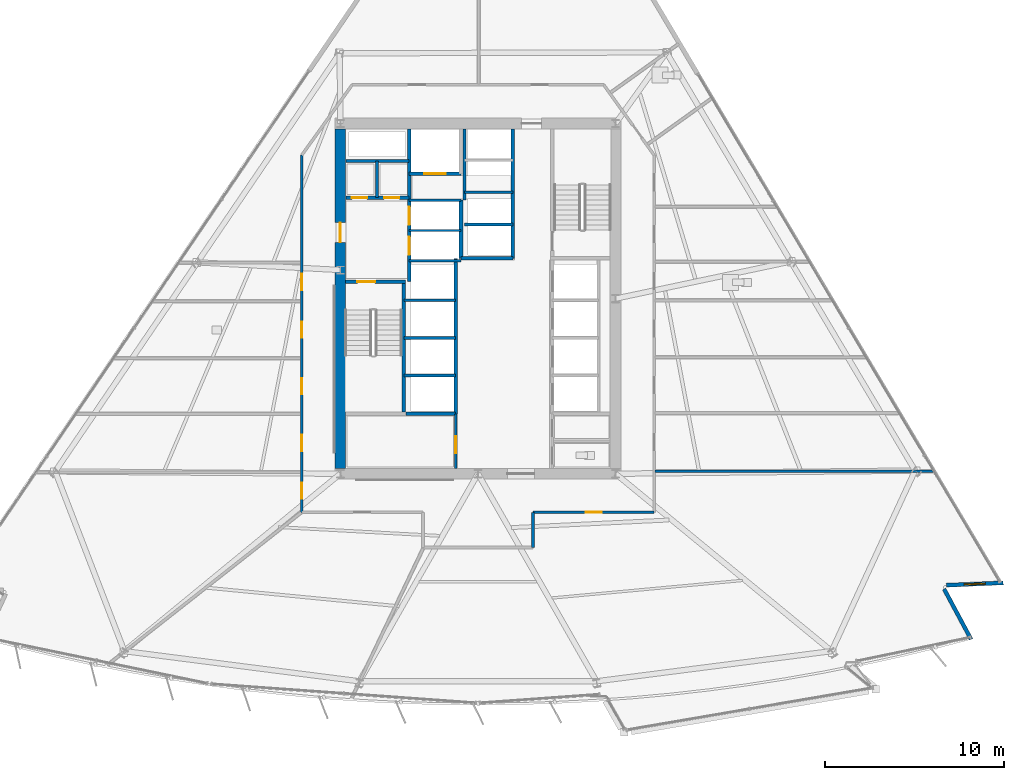
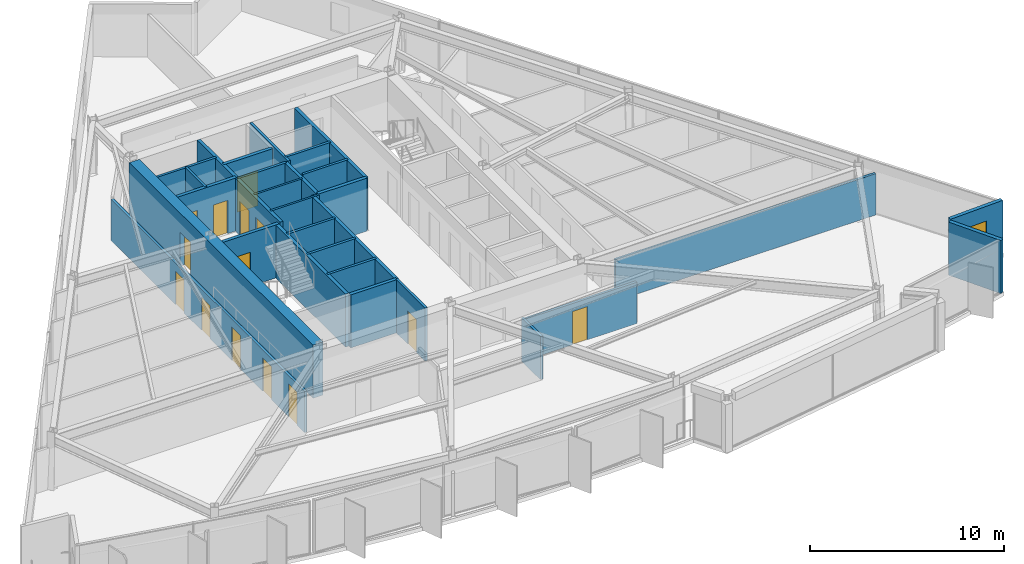
# One storey, part 8 of 16: 29 walls, 14 doors, 1 window, 15 openings.
"""IFC4 building model written with IfcOpenShell, lengths in metres."""

import ifcopenshell
import ifcopenshell.guid

model = None  # the IFC model being written
_history = None  # IfcOwnerHistory: only IFC2X3 demands one
_inside = {}  # id of a spatial element -> (the spatial element, [elements in it])
_under = {}  # id of a project, library or spatial element -> (it, [spatial elements below it])
_declared = {}  # id of a project -> (the project, [libraries it declares])
_typed = {}  # id of a type object -> (the type object, [elements of that type])
_made_of = {}  # id of a material, layer set ... -> (it, [elements and type objects made of it])


def new_model(schema):
    """Start an empty IFC model of exactly this schema.

    Asked for "IFC4X3", IfcOpenShell would pick the latest addendum, in which some entities
    have other attributes; the version numbers below select the first issue.
    IFC2X3 requires an IfcOwnerHistory on every rooted entity: one is made here for all.
    """
    global model, _history
    if schema == "IFC4X3":
        model = ifcopenshell.file(schema_version=(4, 3, 0, 0))
    else:
        model = ifcopenshell.file(schema=schema)
    _inside.clear()
    _under.clear()
    _declared.clear()
    _typed.clear()
    _made_of.clear()
    _history = None
    if model.schema == "IFC2X3":
        org = make("IfcOrganization", Name="unknown")
        user = make(
            "IfcPersonAndOrganization",
            ThePerson=make("IfcPerson", FamilyName="unknown"),
            TheOrganization=org,
        )
        app = make(
            "IfcApplication",
            ApplicationDeveloper=org,
            Version="unknown",
            ApplicationFullName="unknown",
            ApplicationIdentifier="unknown",
        )
        _history = make(
            "IfcOwnerHistory",
            OwningUser=user,
            OwningApplication=app,
            ChangeAction="ADDED",
            CreationDate=0,
        )
    return model


def make(cls, **values):
    """One entity of the class cls with the attributes given. An attribute that is None is left unset."""
    return model.create_entity(
        cls, **{name: value for name, value in values.items() if value is not None}
    )


def rooted(cls, **values):
    """An entity with a GlobalId (a new one), such as an element, a storey or a relation."""
    return make(cls, GlobalId=ifcopenshell.guid.new(), OwnerHistory=_history, **values)


def si_unit(unit_type, name, prefix=None):
    """IfcSIUnit, for example si_unit("LENGTHUNIT", "METRE", prefix="MILLI")."""
    return make("IfcSIUnit", UnitType=unit_type, Prefix=prefix, Name=name)


def assignment(units):
    """IfcUnitAssignment: the units of a project."""
    return None if units is None else make("IfcUnitAssignment", Units=units)


def point(xyz):
    """IfcCartesianPoint."""
    return None if xyz is None else make("IfcCartesianPoint", Coordinates=xyz)


def direction(xyz):
    """IfcDirection."""
    return None if xyz is None else make("IfcDirection", DirectionRatios=xyz)


def frame(location, z_axis=None, x_axis=None):
    """IfcAxis2Placement3D, a coordinate frame: its origin and axes. An axis left out is left unset."""
    return make(
        "IfcAxis2Placement3D",
        Location=point(location),
        Axis=direction(z_axis),
        RefDirection=direction(x_axis),
    )


def frame_2d(location, x_axis=None):
    """IfcAxis2Placement2D, a coordinate frame in the plane: its origin and x axis."""
    return make(
        "IfcAxis2Placement2D", Location=point(location), RefDirection=direction(x_axis)
    )


def origin():
    """The frame at (0, 0, 0) with its axes left unset."""
    return frame((0.0, 0.0, 0.0))


def place(relative_to, where):
    """IfcLocalPlacement: puts the frame where relative to a parent placement (None: the world)."""
    return make(
        "IfcLocalPlacement", PlacementRelTo=relative_to, RelativePlacement=where
    )


def context(
    kind, dimensions, precision=None, world=None, true_north=None, identifier=None
):
    """IfcGeometricRepresentationContext, for example the 3D "Model" context."""
    return make(
        "IfcGeometricRepresentationContext",
        ContextIdentifier=identifier,
        ContextType=kind,
        CoordinateSpaceDimension=dimensions,
        Precision=precision,
        WorldCoordinateSystem=world,
        TrueNorth=true_north,
    )


def subcontext(parent, identifier, kind, view, scale=None):
    """IfcGeometricRepresentationSubContext, for example "Body" below "Model"."""
    return make(
        "IfcGeometricRepresentationSubContext",
        ContextIdentifier=identifier,
        ContextType=kind,
        ParentContext=parent,
        TargetScale=scale,
        TargetView=view,
    )


def project(units=None, contexts=None):
    """IfcProject with its units and contexts."""
    return rooted(
        "IfcProject",
        Name="project",
        RepresentationContexts=contexts,
        UnitsInContext=assignment(units),
    )


def spatial(cls, under=None, at=None, **own):
    """A site, building, storey or space (cls), placed at a placement, below another one or the project."""
    s = rooted(cls, ObjectPlacement=at, **own)
    if under is not None:
        _under.setdefault(under.id(), (under, []))[1].append(s)
    return s


def profile(cls, at=None, kind="AREA", **sizes):
    """A parametric profile (cls). Its sizes go by their IFC names, for example OverallWidth=200.0."""
    return make(cls, ProfileType=kind, Position=at, **sizes)


def rectangle(**sizes):
    """IfcRectangleProfileDef."""
    return profile("IfcRectangleProfileDef", **sizes)


def extrude(swept, where, along, depth):
    """IfcExtrudedAreaSolid: the profile swept, set in the frame where, extruded along a direction by depth."""
    return make(
        "IfcExtrudedAreaSolid",
        SweptArea=swept,
        Position=where,
        ExtrudedDirection=direction(along),
        Depth=depth,
    )


def shape(context_of_items, identifier, shape_type, items):
    """IfcShapeRepresentation: the items that make up one representation, for example the "Body"."""
    return make(
        "IfcShapeRepresentation",
        ContextOfItems=context_of_items,
        RepresentationIdentifier=identifier,
        RepresentationType=shape_type,
        Items=items,
    )


def material(Name=None, Category=None):
    """IfcMaterial."""
    return make("IfcMaterial", Name=Name, Category=Category)


def layer(
    of_material, thickness, ventilated=None, Name=None, Category=None, Priority=None
):
    """IfcMaterialLayer: one layer of a wall or slab, of a material (None: an air gap)."""
    return make(
        "IfcMaterialLayer",
        Material=of_material,
        LayerThickness=thickness,
        IsVentilated=ventilated,
        Name=Name,
        Category=Category,
        Priority=Priority,
    )


def layer_set(layers, Name=None):
    """IfcMaterialLayerSet."""
    return make("IfcMaterialLayerSet", MaterialLayers=layers, LayerSetName=Name)


def made_of(thing, what):
    """Note that an element or type object is made of a material, layer set ...; save() writes the relation."""
    if what is not None:
        _made_of.setdefault(what.id(), (what, []))[1].append(thing)
    return thing


def type_object(cls, material=None, **own):
    """A type object (cls), such as IfcWallType, which elements share."""
    return made_of(rooted(cls, **own), material)


def element(
    cls,
    number,
    at=None,
    inside=None,
    cuts=None,
    type_object=None,
    material=None,
    context=None,
    identifier="Body",
    shape_type=None,
    held_by="IfcProductDefinitionShape",
    body=None,
    shapes=None,
    **own,
):
    """One element of the class cls, such as IfcWall. Its Tag is "e" and its number.

    at: its placement. inside: the storey or other place that contains it. cuts: it is an
    opening in that element (IfcRelVoidsElement). A single representation is given by context,
    identifier, shape_type and body (its items); several are given by shapes. held_by: the class
    of the entity that holds the representations. save() writes the other relations.
    """
    e = rooted(cls, Tag="e%d" % number, ObjectPlacement=at, **own)
    if body is not None:
        shapes = [shape(context, identifier, shape_type, body)]
    if shapes is not None:
        e.Representation = make(held_by, Representations=shapes)
    if inside is not None:
        _inside.setdefault(inside.id(), (inside, []))[1].append(e)
    if cuts is not None:
        rooted(
            "IfcRelVoidsElement", RelatingBuildingElement=cuts, RelatedOpeningElement=e
        )
    if type_object is not None:
        _typed.setdefault(type_object.id(), (type_object, []))[1].append(e)
    return made_of(e, material)


def fill(opening, filler):
    """IfcRelFillsElement: the door or window that sits in an opening."""
    return rooted(
        "IfcRelFillsElement",
        RelatingOpeningElement=opening,
        RelatedBuildingElement=filler,
    )


def aggregate(whole, parts):
    """IfcRelAggregates: a whole, such as a stair, and the parts it consists of."""
    return rooted("IfcRelAggregates", RelatingObject=whole, RelatedObjects=parts)


def save(model, path):
    """Write the relations noted so far, then the file.

    IfcRelAggregates (storeys below a building ...), IfcRelContainedInSpatialStructure (elements
    in a storey), IfcRelDefinesByType, IfcRelAssociatesMaterial and IfcRelDeclares: one each for
    every whole, place, type object, material and project.
    """
    for whole, parts in _under.values():
        aggregate(whole, parts)
    for where, things in _inside.values():
        rooted(
            "IfcRelContainedInSpatialStructure",
            RelatedElements=things,
            RelatingStructure=where,
        )
    for kind, things in _typed.values():
        rooted("IfcRelDefinesByType", RelatedObjects=things, RelatingType=kind)
    for what, things in _made_of.values():
        rooted("IfcRelAssociatesMaterial", RelatedObjects=things, RelatingMaterial=what)
    for by, libraries in _declared.values():
        rooted("IfcRelDeclares", RelatingContext=by, RelatedDefinitions=libraries)
    model.write(path)


model = new_model("IFC4")

# Units and contexts
model_context = context("Model", 3, precision=1e-05, world=origin(), true_north=direction((0.0, 1.0)))
body_context = subcontext(model_context, "Body", "Model", "MODEL_VIEW")
ifc_project = project(units=[si_unit("LENGTHUNIT", "METRE"), si_unit("AREAUNIT", "SQUARE_METRE"), si_unit("VOLUMEUNIT", "CUBIC_METRE"), si_unit("PLANEANGLEUNIT", "RADIAN"), si_unit("MASSUNIT", "GRAM", prefix="KILO")], contexts=[model_context])

# Site, building, storey
site_placement = place(None, origin())
site = spatial("IfcSite", under=ifc_project, at=site_placement, CompositionType="ELEMENT")
building_placement = place(site_placement, origin())
building = spatial("IfcBuilding", under=site, at=building_placement, Name="Savorim Split Tower", CompositionType="ELEMENT")
storey_placement = place(building_placement, frame((0.0, 0.0, 51.60009765625)))
storey = spatial("IfcBuildingStorey", under=building, at=storey_placement, Name="L13", CompositionType="ELEMENT", Elevation=51.60009765625)

# Wall, opening, door
ifc_material_1 = material(Name="Concrete C60/75", Category="concrete")
ifc_layer_1 = layer(ifc_material_1, 0.60009765625)
ifc_layer_set_1 = layer_set([ifc_layer_1], Name="WAL-COR-SH600")
wall_type_1 = type_object("IfcWallType", Name="WAL-COR-SH600", PredefinedType="SHEAR", material=ifc_layer_set_1)
wall_1_placement = place(storey_placement, frame((-7.699951171875, -9.10009765625, 0.0), z_axis=(0.0, 0.0, 1.0), x_axis=(0.0, 1.0, 0.0)))
wall_1 = element("IfcWall", 1, at=wall_1_placement, inside=storey, type_object=wall_type_1, Name="L13 Offset Core West Shear Wall", PredefinedType="SHEAR", context=body_context, shape_type="SweptSolid", body=[
    extrude(rectangle(XDim=19.0, YDim=0.60009765625, at=frame_2d((9.5, 0.0))), origin(), (0.0, 0.0, 1.0), 3.349853515625),
])
opening_1_placement = place(wall_1_placement, frame((12.64990234375, 0.0, 0.0)))
opening_1 = element("IfcOpeningElement", 2, at=opening_1_placement, cuts=wall_1, Name="Opening DI-03", PredefinedType="OPENING", context=body_context, shape_type="SweptSolid", body=[
    extrude(rectangle(XDim=1.10009765625, YDim=2.14990234375, at=frame_2d((0.550048828125, 1.074951171875))), frame((0.0, 0.31005859375, 0.0), z_axis=(0.0, -1.0, 0.0), x_axis=(1.0, 0.0, 0.0)), (0.0, 0.0, 1.0), 0.6201171875),
])
ifc_material_2 = material(Name="Timber Fire Door Leaf", Category="wood")
door_type_1 = type_object("IfcDoorType", Name="DOR-FIR-1100", OperationType="NOTDEFINED", PredefinedType="DOOR", material=ifc_material_2)
door_1_placement = place(opening_1_placement, origin())
door_1 = element("IfcDoor", 3, at=door_1_placement, inside=storey, type_object=door_type_1, Name="DOR-L13-COR-FFLOB - L13 Firefighting Lobby Corridor Door", OperationType="SINGLE_SWING_LEFT", OverallHeight=2.14990234375, OverallWidth=1.10009765625, PredefinedType="DOOR", context=body_context, shape_type="SweptSolid", body=[
    extrude(rectangle(XDim=1.10009765625, YDim=2.14990234375, at=frame_2d((0.550048828125, 1.074951171875))), frame((0.0, 0.02490234375, 0.0), z_axis=(0.0, -1.0, 0.0), x_axis=(1.0, 0.0, 0.0)), (0.0, 0.0, 1.0), 0.050048828125),
])
fill(opening_1, door_1)

# Wall
ifc_material_3 = material(Name="Precast concrete C40/50", Category="concrete")
ifc_layer_2 = layer(ifc_material_3, 0.219970703125)
ifc_layer_set_2 = layer_set([ifc_layer_2], Name="WAL-EXT-CRN220")
wall_type_2 = type_object("IfcWallType", Name="WAL-EXT-CRN220", PredefinedType="SOLIDWALL", material=ifc_layer_set_2)
wall_2_placement = place(storey_placement, frame((26.085693359375, -15.852294921875, 0.0), z_axis=(0.0, 0.0, 1.0), x_axis=(0.472775670204, -0.881182821929, 0.0)))
element("IfcWall", 4, at=wall_2_placement, inside=storey, type_object=wall_type_2, Name="L13 Notched Corner Facade Wall SE1", PredefinedType="SOLIDWALL", context=body_context, shape_type="SweptSolid", body=[
    extrude(rectangle(XDim=3.189697265625, YDim=0.219970703125, at=frame_2d((1.5947265625, 0.0))), origin(), (0.0, 0.0, 1.0), 3.349853515625),
])

# Wall, opening, window
wall_3_placement = place(storey_placement, frame((29.39111328125, -15.50341796875, 0.0), z_axis=(0.0, 0.0, 1.0), x_axis=(-0.999095632957, -0.042519597906, 0.0)))
wall_3 = element("IfcWall", 5, at=wall_3_placement, inside=storey, type_object=wall_type_2, Name="L13 Notched Corner Facade Wall SE", PredefinedType="SOLIDWALL", context=body_context, shape_type="SweptSolid", body=[
    extrude(rectangle(XDim=3.186767578125, YDim=0.219970703125, at=frame_2d((1.59326171875, 0.0))), origin(), (0.0, 0.0, 1.0), 3.349853515625),
])
opening_2_placement = place(wall_3_placement, frame((0.993408203125, 0.0, 0.6201171875)))
opening_2 = element("IfcOpeningElement", 6, at=opening_2_placement, cuts=wall_3, Name="Opening WN-08", PredefinedType="OPENING", context=body_context, shape_type="SweptSolid", body=[
    extrude(rectangle(XDim=1.199951171875, YDim=1.800048828125, at=frame_2d((0.60009765625, 0.89990234375))), frame((0.0, 0.119873046875, 0.0), z_axis=(0.0, -1.0, 0.0), x_axis=(1.0, 0.0, 0.0)), (0.0, 0.0, 1.0), 0.239990234375),
])
ifc_material_4 = material(Name="Low-E Operable Double Glazing", Category="glass")
window_type = type_object("IfcWindowType", Name="WIN-TWR-1200x1800", PartitioningType="SINGLE_PANEL", PredefinedType="WINDOW", material=ifc_material_4)
window_placement = place(opening_2_placement, origin())
window = element("IfcWindow", 7, at=window_placement, inside=storey, type_object=window_type, Name="L13 Operable Corner Window SE", OverallHeight=1.800048828125, OverallWidth=1.199951171875, PartitioningType="SINGLE_PANEL", PredefinedType="WINDOW", context=body_context, shape_type="SweptSolid", body=[
    extrude(rectangle(XDim=1.199951171875, YDim=1.800048828125, at=frame_2d((0.60009765625, 0.89990234375))), frame((0.0, 0.030029296875, 0.0), z_axis=(0.0, -1.0, 0.0), x_axis=(1.0, 0.0, 0.0)), (0.0, 0.0, 1.0), 0.06005859375),
])
fill(opening_2, window)

# Wall, opening, door
ifc_material_5 = material(Name="Concrete C50/60", Category="concrete")
ifc_layer_3 = layer(ifc_material_5, 0.199951171875)
ifc_layer_set_3 = layer_set([ifc_layer_3], Name="WAL-INT-RC200")
wall_type_3 = type_object("IfcWallType", Name="WAL-INT-RC200", PredefinedType="SOLIDWALL", material=ifc_layer_set_3)
wall_4_placement = place(storey_placement, frame((-7.39990234375, 1.35009765625, 0.0), z_axis=(0.0, 0.0, 1.0), x_axis=(1.0, 0.0, 0.0)))
wall_4 = element("IfcWall", 8, at=wall_4_placement, inside=storey, type_object=wall_type_3, Name="L13 Structural Shaft Wall W-L13-CR01", PredefinedType="SOLIDWALL", context=body_context, shape_type="SweptSolid", body=[
    extrude(rectangle(XDim=3.349853515625, YDim=0.199951171875, at=frame_2d((1.6748046875, 0.0))), origin(), (0.0, 0.0, 1.0), 3.349853515625),
])
opening_3_placement = place(wall_4_placement, frame((0.64990234375, 0.0, 0.0)))
opening_3 = element("IfcOpeningElement", 9, at=opening_3_placement, cuts=wall_4, Name="Opening DI-04", PredefinedType="OPENING", context=body_context, shape_type="SweptSolid", body=[
    extrude(rectangle(XDim=1.0, YDim=2.14990234375, at=frame_2d((0.5, 1.074951171875))), frame((0.0, 0.10986328125, 0.0), z_axis=(0.0, -1.0, 0.0), x_axis=(1.0, 0.0, 0.0)), (0.0, 0.0, 1.0), 0.219970703125),
])
door_type_2 = type_object("IfcDoorType", Name="DOR-FIR-1000", OperationType="NOTDEFINED", PredefinedType="DOOR", material=ifc_material_2)
door_2_placement = place(opening_3_placement, origin())
door_2 = element("IfcDoor", 10, at=door_2_placement, inside=storey, type_object=door_type_2, Name="DR-L13-ST1 - L13 Stair ST-1 Enclosure Door", OperationType="SINGLE_SWING_LEFT", OverallHeight=2.14990234375, OverallWidth=1.0, PredefinedType="DOOR", context=body_context, shape_type="SweptSolid", body=[
    extrude(rectangle(XDim=1.0, YDim=2.14990234375, at=frame_2d((0.5, 1.074951171875))), frame((0.0, 0.02490234375, 0.0), z_axis=(0.0, -1.0, 0.0), x_axis=(1.0, 0.0, 0.0)), (0.0, 0.0, 1.0), 0.050048828125),
])
fill(opening_3, door_2)

# Wall
wall_5_placement = place(storey_placement, frame((-4.14990234375, -5.949951171875, 0.0), z_axis=(0.0, 0.0, 1.0), x_axis=(0.0, 1.0, 0.0)))
element("IfcWall", 11, at=wall_5_placement, inside=storey, type_object=wall_type_3, Name="L13 Structural Shaft Wall W-L13-CR02", PredefinedType="SOLIDWALL", context=body_context, shape_type="SweptSolid", body=[
    extrude(rectangle(XDim=7.199951171875, YDim=0.199951171875, at=frame_2d((3.60009765625, 0.0))), origin(), (0.0, 0.0, 1.0), 3.349853515625),
])

# Wall, openings, doors
wall_6_placement = place(storey_placement, frame((-3.85009765625, 1.35009765625, 0.0), z_axis=(0.0, 0.0, 1.0), x_axis=(0.0, 1.0, 0.0)))
wall_6 = element("IfcWall", 12, at=wall_6_placement, inside=storey, type_object=wall_type_3, Name="L13 Partition W-L13-CR03", PredefinedType="SOLIDWALL", context=body_context, shape_type="SweptSolid", body=[
    extrude(rectangle(XDim=8.544921875, YDim=0.199951171875, at=frame_2d((4.2724609375, 0.0))), origin(), (0.0, 0.0, 1.0), 3.349853515625),
])
opening_4_placement = place(wall_6_placement, frame((1.5, 0.0, 0.0)))
opening_4 = element("IfcOpeningElement", 13, at=opening_4_placement, cuts=wall_6, Name="Opening LD-FFL", PredefinedType="OPENING", context=body_context, shape_type="SweptSolid", body=[
    extrude(rectangle(XDim=1.0, YDim=2.14990234375, at=frame_2d((0.5, 1.074951171875))), frame((0.0, 0.10986328125, 0.0), z_axis=(0.0, -1.0, 0.0), x_axis=(1.0, 0.0, 0.0)), (0.0, 0.0, 1.0), 0.219970703125),
])
opening_5_placement = place(wall_6_placement, frame((3.179931640625, 0.0, 0.0)))
opening_5 = element("IfcOpeningElement", 14, at=opening_5_placement, cuts=wall_6, Name="Opening LD-FFL", PredefinedType="OPENING", context=body_context, shape_type="SweptSolid", body=[
    extrude(rectangle(XDim=1.0, YDim=2.14990234375, at=frame_2d((0.5, 1.074951171875))), frame((0.0, 0.10986328125, 0.0), z_axis=(0.0, -1.0, 0.0), x_axis=(1.0, 0.0, 0.0)), (0.0, 0.0, 1.0), 0.219970703125),
])
ifc_material_6 = material(Name="Charcoal Anodised Aluminium", Category="aluminium")
door_type_3 = type_object("IfcDoorType", Name="DOR-SLD-LD1000", OperationType="NOTDEFINED", PredefinedType="DOOR", material=ifc_material_6)
door_3_placement = place(opening_4_placement, origin())
door_3 = element("IfcDoor", 15, at=door_3_placement, inside=storey, type_object=door_type_3, Name="DR-L13-LD-FFL1 - L13 Firefighting Lift FFL-1 Sliding Landing Door", OperationType="DOUBLE_DOOR_SLIDING", OverallHeight=2.14990234375, OverallWidth=1.0, PredefinedType="DOOR", context=body_context, shape_type="SweptSolid", body=[
    extrude(rectangle(XDim=1.0, YDim=2.14990234375, at=frame_2d((0.5, 1.074951171875))), frame((0.0, 0.02490234375, 0.0), z_axis=(0.0, -1.0, 0.0), x_axis=(1.0, 0.0, 0.0)), (0.0, 0.0, 1.0), 0.050048828125),
])
fill(opening_4, door_3)
door_4_placement = place(opening_5_placement, origin())
door_4 = element("IfcDoor", 16, at=door_4_placement, inside=storey, type_object=door_type_3, Name="DR-L13-LD-FFL2 - L13 Firefighting Lift FFL-2 Sliding Landing Door", OperationType="DOUBLE_DOOR_SLIDING", OverallHeight=2.14990234375, OverallWidth=1.0, PredefinedType="DOOR", context=body_context, shape_type="SweptSolid", body=[
    extrude(rectangle(XDim=1.0, YDim=2.14990234375, at=frame_2d((0.5, 1.074951171875))), frame((0.0, 0.02490234375, 0.0), z_axis=(0.0, -1.0, 0.0), x_axis=(1.0, 0.0, 0.0)), (0.0, 0.0, 1.0), 0.050048828125),
])
fill(opening_5, door_4)

wall_7_placement = place(storey_placement, frame((-7.39501953125, 6.050048828125, 0.0), z_axis=(0.0, 0.0, 1.0), x_axis=(1.0, 0.0, 0.0)))
wall_7 = element("IfcWall", 17, at=wall_7_placement, inside=storey, type_object=wall_type_3, Name="L13 Partition W-L13-CR04", PredefinedType="SOLIDWALL", context=body_context, shape_type="SweptSolid", body=[
    extrude(rectangle(XDim=3.544921875, YDim=0.199951171875, at=frame_2d((1.7724609375, 0.0))), origin(), (0.0, 0.0, 1.0), 3.349853515625),
])
opening_6_placement = place(wall_7_placement, frame((0.344970703125, 0.0, 0.0)))
opening_6 = element("IfcOpeningElement", 18, at=opening_6_placement, cuts=wall_7, Name="Opening DI-12", PredefinedType="OPENING", context=body_context, shape_type="SweptSolid", body=[
    extrude(rectangle(XDim=0.85009765625, YDim=2.10009765625, at=frame_2d((0.425048828125, 1.050048828125))), frame((0.0, 0.10986328125, 0.0), z_axis=(0.0, -1.0, 0.0), x_axis=(1.0, 0.0, 0.0)), (0.0, 0.0, 1.0), 0.219970703125),
])
opening_7_placement = place(wall_7_placement, frame((2.14501953125, 0.0, 0.0)))
opening_7 = element("IfcOpeningElement", 19, at=opening_7_placement, cuts=wall_7, Name="Opening DI-12", PredefinedType="OPENING", context=body_context, shape_type="SweptSolid", body=[
    extrude(rectangle(XDim=0.85009765625, YDim=2.10009765625, at=frame_2d((0.425048828125, 1.050048828125))), frame((0.0, 0.10986328125, 0.0), z_axis=(0.0, -1.0, 0.0), x_axis=(1.0, 0.0, 0.0)), (0.0, 0.0, 1.0), 0.219970703125),
])
ifc_material_7 = material(Name="Galvanised Painted Steel Balustrade", Category="steel")
door_type_4 = type_object("IfcDoorType", Name="DOR-RIS-850", OperationType="NOTDEFINED", PredefinedType="DOOR", material=ifc_material_7)
door_5_placement = place(opening_6_placement, origin())
door_5 = element("IfcDoor", 20, at=door_5_placement, inside=storey, type_object=door_type_4, Name="DR-L13-ELR - L13 Electrical Riser Access Door", OperationType="SINGLE_SWING_RIGHT", OverallHeight=2.10009765625, OverallWidth=0.85009765625, PredefinedType="DOOR", context=body_context, shape_type="SweptSolid", body=[
    extrude(rectangle(XDim=0.85009765625, YDim=2.10009765625, at=frame_2d((0.425048828125, 1.050048828125))), frame((0.0, 0.02490234375, 0.0), z_axis=(0.0, -1.0, 0.0), x_axis=(1.0, 0.0, 0.0)), (0.0, 0.0, 1.0), 0.050048828125),
])
fill(opening_6, door_5)
door_6_placement = place(opening_7_placement, origin())
door_6 = element("IfcDoor", 21, at=door_6_placement, inside=storey, type_object=door_type_4, Name="DR-L13-TLR - L13 Telecom Riser Access Door", OperationType="SINGLE_SWING_LEFT", OverallHeight=2.10009765625, OverallWidth=0.85009765625, PredefinedType="DOOR", context=body_context, shape_type="SweptSolid", body=[
    extrude(rectangle(XDim=0.85009765625, YDim=2.10009765625, at=frame_2d((0.425048828125, 1.050048828125))), frame((0.0, 0.02490234375, 0.0), z_axis=(0.0, -1.0, 0.0), x_axis=(1.0, 0.0, 0.0)), (0.0, 0.0, 1.0), 0.050048828125),
])
fill(opening_7, door_6)

# Wall
wall_8_placement = place(storey_placement, frame((-0.949951171875, 2.64990234375, 0.0), z_axis=(0.0, 0.0, 1.0), x_axis=(0.0, 1.0, 0.0)))
element("IfcWall", 22, at=wall_8_placement, inside=storey, type_object=wall_type_3, Name="L13 Partition W-L13-FFLW", PredefinedType="SOLIDWALL", context=body_context, shape_type="SweptSolid", body=[
    extrude(rectangle(XDim=3.27001953125, YDim=0.199951171875, at=frame_2d((1.635009765625, 0.0))), origin(), (0.0, 0.0, 1.0), 3.349853515625),
])

# Wall, opening, door
wall_9_placement = place(storey_placement, frame((-3.85009765625, 7.3798828125, 0.0), z_axis=(0.0, 0.0, 1.0), x_axis=(1.0, 0.0, 0.0)))
wall_9 = element("IfcWall", 23, at=wall_9_placement, inside=storey, type_object=wall_type_3, Name="L13 Partition W-L13-SVLS", PredefinedType="SOLIDWALL", context=body_context, shape_type="SweptSolid", body=[
    extrude(rectangle(XDim=2.900146484375, YDim=0.199951171875, at=frame_2d((1.4501953125, 0.0))), origin(), (0.0, 0.0, 1.0), 3.349853515625),
])
opening_8_placement = place(wall_9_placement, frame((0.85009765625, 0.0, 0.0)))
opening_8 = element("IfcOpeningElement", 24, at=opening_8_placement, cuts=wall_9, Name="Opening LD-SV", PredefinedType="OPENING", context=body_context, shape_type="SweptSolid", body=[
    extrude(rectangle(XDim=1.199951171875, YDim=2.199951171875, at=frame_2d((0.60009765625, 1.10009765625))), frame((0.0, 0.10986328125, 0.0), z_axis=(0.0, -1.0, 0.0), x_axis=(1.0, 0.0, 0.0)), (0.0, 0.0, 1.0), 0.219970703125),
])
door_type_5 = type_object("IfcDoorType", Name="DOR-SLD-SV1200", OperationType="NOTDEFINED", PredefinedType="DOOR", material=ifc_material_6)
door_7_placement = place(opening_8_placement, origin())
door_7 = element("IfcDoor", 25, at=door_7_placement, inside=storey, type_object=door_type_5, Name="DR-L13-LD-SVL1 - L13 Service Lift SVL-1 Sliding Landing Door", OperationType="DOUBLE_DOOR_SLIDING", OverallHeight=2.199951171875, OverallWidth=1.199951171875, PredefinedType="DOOR", context=body_context, shape_type="SweptSolid", body=[
    extrude(rectangle(XDim=1.199951171875, YDim=2.199951171875, at=frame_2d((0.60009765625, 1.10009765625))), frame((0.0, 0.02490234375, 0.0), z_axis=(0.0, -1.0, 0.0), x_axis=(1.0, 0.0, 0.0)), (0.0, 0.0, 1.0), 0.050048828125),
])
fill(opening_8, door_7)

# Walls
wall_10_placement = place(storey_placement, frame((-1.25, -6.050048828125, 0.0), z_axis=(0.0, 0.0, 1.0), x_axis=(0.0, 1.0, 0.0)))
element("IfcWall", 26, at=wall_10_placement, inside=storey, type_object=wall_type_3, Name="L13 Partition W-L13-B2FRONT", PredefinedType="SOLIDWALL", context=body_context, shape_type="SweptSolid", body=[
    extrude(rectangle(XDim=8.699951171875, YDim=0.199951171875, at=frame_2d((4.35009765625, 0.0))), origin(), (0.0, 0.0, 1.0), 3.349853515625),
])
wall_11_placement = place(storey_placement, frame((1.949951171875, 2.64990234375, 0.0), z_axis=(0.0, 0.0, 1.0), x_axis=(0.0, 1.0, 0.0)))
element("IfcWall", 27, at=wall_11_placement, inside=storey, type_object=wall_type_3, Name="L13 Partition W-L13-B3FRONT", PredefinedType="SOLIDWALL", context=body_context, shape_type="SweptSolid", body=[
    extrude(rectangle(XDim=7.2451171875, YDim=0.199951171875, at=frame_2d((3.62255859375, 0.0))), origin(), (0.0, 0.0, 1.0), 3.349853515625),
])
wall_12_placement = place(storey_placement, frame((-0.949951171875, 2.64990234375, 0.0), z_axis=(0.0, 0.0, 1.0), x_axis=(1.0, 0.0, 0.0)))
element("IfcWall", 28, at=wall_12_placement, inside=storey, type_object=wall_type_3, Name="L13 Partition W-L13-B3SOUTH", PredefinedType="SOLIDWALL", context=body_context, shape_type="SweptSolid", body=[
    extrude(rectangle(XDim=2.89990234375, YDim=0.199951171875, at=frame_2d((1.449951171875, 0.0))), origin(), (0.0, 0.0, 1.0), 3.349853515625),
])
wall_13_placement = place(storey_placement, frame((-4.0400390625, -6.050048828125, 0.0), z_axis=(0.0, 0.0, 1.0), x_axis=(1.0, 0.0, 0.0)))
element("IfcWall", 29, at=wall_13_placement, inside=storey, type_object=wall_type_3, Name="L13 Partition W-L13-KSEP-W2", PredefinedType="SOLIDWALL", context=body_context, shape_type="SweptSolid", body=[
    extrude(rectangle(XDim=2.7900390625, YDim=0.199951171875, at=frame_2d((1.39501953125, 0.0))), origin(), (0.0, 0.0, 1.0), 3.349853515625),
])
ifc_material_8 = material(Name="Acoustic Gypsum Partition Board")
ifc_layer_4 = layer(ifc_material_8, 0.1201171875)
ifc_layer_set_4 = layer_set([ifc_layer_4], Name="WAL-PAR-120")
wall_type_4 = type_object("IfcWallType", Name="WAL-PAR-120", PredefinedType="PARTITIONING", material=ifc_layer_set_4)
for number, where, z_axis, x_axis, name in (
    (30, (-3.85009765625, 2.52001953125, 0.0), (0.0, 0.0, 1.0), (1.0, 0.0, 0.0), "L13 Partition W-L13-FFLD0"),
    (31, (-3.85009765625, 4.219970703125, 0.0), (0.0, 0.0, 1.0), (1.0, 0.0, 0.0), "L13 Partition W-L13-FFLD1"),
):
    element("IfcWall", number, at=place(storey_placement, frame(where, z_axis=z_axis, x_axis=x_axis)), inside=storey, type_object=wall_type_4, Name=name, PredefinedType="PARTITIONING", context=body_context, shape_type="SweptSolid", body=[
        extrude(rectangle(XDim=2.900146484375, YDim=0.1201171875, at=frame_2d((1.4501953125, 0.0))), origin(), (0.0, 0.0, 1.0), 3.349853515625),
    ])
ifc_layer_5 = layer(ifc_material_8, 0.14990234375)
ifc_layer_set_5 = layer_set([ifc_layer_5], Name="WAL-PAR-150")
wall_type_5 = type_object("IfcWallType", Name="WAL-PAR-150", PredefinedType="PARTITIONING", material=ifc_layer_set_5)
wall_14_placement = place(storey_placement, frame((-7.39501953125, 8.10009765625, 0.0), z_axis=(0.0, 0.0, 1.0), x_axis=(1.0, 0.0, 0.0)))
element("IfcWall", 32, at=wall_14_placement, inside=storey, type_object=wall_type_5, Name="L13 Partition W-L13-CR05", PredefinedType="PARTITIONING", context=body_context, shape_type="SweptSolid", body=[
    extrude(rectangle(XDim=3.544921875, YDim=0.14990234375, at=frame_2d((1.7724609375, 0.0))), origin(), (0.0, 0.0, 1.0), 3.349853515625),
])
wall_15_placement = place(storey_placement, frame((-5.64990234375, 6.050048828125, 0.0), z_axis=(0.0, 0.0, 1.0), x_axis=(0.0, 1.0, 0.0)))
element("IfcWall", 33, at=wall_15_placement, inside=storey, type_object=wall_type_5, Name="L13 Partition W-L13-CR06", PredefinedType="PARTITIONING", context=body_context, shape_type="SweptSolid", body=[
    extrude(rectangle(XDim=2.050048828125, YDim=0.14990234375, at=frame_2d((1.02490234375, 0.0))), origin(), (0.0, 0.0, 1.0), 3.349853515625),
])
wall_16_placement = place(storey_placement, frame((-3.85009765625, 5.89990234375, 0.0), z_axis=(0.0, 0.0, 1.0), x_axis=(1.0, 0.0, 0.0)))
element("IfcWall", 34, at=wall_16_placement, inside=storey, type_object=wall_type_5, Name="L13 Partition W-L13-FFLD2", PredefinedType="PARTITIONING", context=body_context, shape_type="SweptSolid", body=[
    extrude(rectangle(XDim=2.900146484375, YDim=0.14990234375, at=frame_2d((1.4501953125, 0.0))), origin(), (0.0, 0.0, 1.0), 3.349853515625),
])
for number, where, z_axis, x_axis, name in (
    (35, (-4.14990234375, -3.89990234375, 0.0), (0.0, 0.0, 1.0), (1.0, 0.0, 0.0), "L13 Partition W-L13-B2DIV1"),
    (36, (-4.14990234375, -1.800048828125, 0.0), (0.0, 0.0, 1.0), (1.0, 0.0, 0.0), "L13 Partition W-L13-B2DIV2"),
    (37, (-4.14990234375, 0.300048828125, 0.0), (0.0, 0.0, 1.0), (1.0, 0.0, 0.0), "L13 Partition W-L13-B2DIV3"),
):
    element("IfcWall", number, at=place(storey_placement, frame(where, z_axis=z_axis, x_axis=x_axis)), inside=storey, type_object=wall_type_5, Name=name, PredefinedType="PARTITIONING", context=body_context, shape_type="SweptSolid", body=[
        extrude(rectangle(XDim=2.89990234375, YDim=0.14990234375, at=frame_2d((1.449951171875, 0.0))), origin(), (0.0, 0.0, 1.0), 3.349853515625),
    ])
wall_17_placement = place(storey_placement, frame((-0.75, 5.919921875, 0.0), z_axis=(0.0, 0.0, 1.0), x_axis=(0.0, 1.0, 0.0)))
element("IfcWall", 38, at=wall_17_placement, inside=storey, type_object=wall_type_5, Name="L13 Partition W-L13-B3WEST", PredefinedType="PARTITIONING", context=body_context, shape_type="SweptSolid", body=[
    extrude(rectangle(XDim=3.97509765625, YDim=0.14990234375, at=frame_2d((1.987548828125, 0.0))), origin(), (0.0, 0.0, 1.0), 3.349853515625),
])
for number, where, z_axis, x_axis, name in (
    (39, (-0.75, 4.550048828125, 0.0), (0.0, 0.0, 1.0), (1.0, 0.0, 0.0), "L13 Partition W-L13-B3DIV1"),
    (40, (-0.75, 6.35009765625, 0.0), (0.0, 0.0, 1.0), (1.0, 0.0, 0.0), "L13 Partition W-L13-B3DIV2"),
):
    element("IfcWall", number, at=place(storey_placement, frame(where, z_axis=z_axis, x_axis=x_axis)), inside=storey, type_object=wall_type_5, Name=name, PredefinedType="PARTITIONING", context=body_context, shape_type="SweptSolid", body=[
        extrude(rectangle(XDim=2.699951171875, YDim=0.14990234375, at=frame_2d((1.35009765625, 0.0))), origin(), (0.0, 0.0, 1.0), 3.349853515625),
    ])

# Wall, opening, door
wall_18_placement = place(storey_placement, frame((-1.25, -9.094970703125, 0.0), z_axis=(0.0, 0.0, 1.0), x_axis=(0.0, 1.0, 0.0)))
wall_18 = element("IfcWall", 41, at=wall_18_placement, inside=storey, type_object=wall_type_5, Name="L13 Partition W-L13-KLOB-W", PredefinedType="PARTITIONING", context=body_context, shape_type="SweptSolid", body=[
    extrude(rectangle(XDim=3.044921875, YDim=0.14990234375, at=frame_2d((1.5224609375, 0.0))), origin(), (0.0, 0.0, 1.0), 3.349853515625),
])
opening_9_placement = place(wall_18_placement, frame((0.844970703125, 0.0, 0.0)))
opening_9 = element("IfcOpeningElement", 42, at=opening_9_placement, cuts=wall_18, Name="Opening DI-05", PredefinedType="OPENING", context=body_context, shape_type="SweptSolid", body=[
    extrude(rectangle(XDim=0.949951171875, YDim=2.10009765625, at=frame_2d((0.47509765625, 1.050048828125))), frame((0.0, 0.0849609375, 0.0), z_axis=(0.0, -1.0, 0.0), x_axis=(1.0, 0.0, 0.0)), (0.0, 0.0, 1.0), 0.169921875),
])
door_type_6 = type_object("IfcDoorType", Name="DOR-FIR-950", OperationType="NOTDEFINED", PredefinedType="DOOR", material=ifc_material_2)
door_8_placement = place(opening_9_placement, origin())
door_8 = element("IfcDoor", 43, at=door_8_placement, inside=storey, type_object=door_type_6, Name="DR-L13-K3LIN - L13 Housekeeping Store Door", OperationType="SINGLE_SWING_LEFT", OverallHeight=2.10009765625, OverallWidth=0.949951171875, PredefinedType="DOOR", context=body_context, shape_type="SweptSolid", body=[
    extrude(rectangle(XDim=0.949951171875, YDim=2.10009765625, at=frame_2d((0.47509765625, 1.050048828125))), frame((0.0, 0.02490234375, 0.0), z_axis=(0.0, -1.0, 0.0), x_axis=(1.0, 0.0, 0.0)), (0.0, 0.0, 1.0), 0.050048828125),
])
fill(opening_9, door_8)

# Wall, openings, doors
wall_19_placement = place(storey_placement, frame((-9.860107421875, -11.56005859375, 0.0), z_axis=(0.0, 0.0, 1.0), x_axis=(0.0, 1.0, 0.0)))
wall_19 = element("IfcWall", 44, at=wall_19_placement, inside=storey, type_object=wall_type_5, Name="L13 Partition W-L13-COR-01", PredefinedType="PARTITIONING", context=body_context, shape_type="SweptSolid", body=[
    extrude(rectangle(XDim=19.98583984375, YDim=0.14990234375, at=frame_2d((9.992919921875, 0.0))), origin(), (0.0, 0.0, 1.0), 2.60888671875),
])
opening_10_placement = place(wall_19_placement, frame((9.765625, 0.0, 0.0)))
opening_10 = element("IfcOpeningElement", 45, at=opening_10_placement, cuts=wall_19, Name="Opening DI-06", PredefinedType="OPENING", context=body_context, shape_type="SweptSolid", body=[
    extrude(rectangle(XDim=0.89990234375, YDim=2.10009765625, at=frame_2d((0.449951171875, 1.050048828125))), frame((0.0, 0.0849609375, 0.0), z_axis=(0.0, -1.0, 0.0), x_axis=(1.0, 0.0, 0.0)), (0.0, 0.0, 1.0), 0.169921875),
])
opening_11_placement = place(wall_19_placement, frame((6.61474609375, 0.0, 0.0)))
opening_11 = element("IfcOpeningElement", 46, at=opening_11_placement, cuts=wall_19, Name="Opening DI-06", PredefinedType="OPENING", context=body_context, shape_type="SweptSolid", body=[
    extrude(rectangle(XDim=0.89990234375, YDim=2.10009765625, at=frame_2d((0.449951171875, 1.050048828125))), frame((0.0, 0.0849609375, 0.0), z_axis=(0.0, -1.0, 0.0), x_axis=(1.0, 0.0, 0.0)), (0.0, 0.0, 1.0), 0.169921875),
])
opening_12_placement = place(wall_19_placement, frame((3.428466796875, 0.0, 0.0)))
opening_12 = element("IfcOpeningElement", 47, at=opening_12_placement, cuts=wall_19, Name="Opening DI-06", PredefinedType="OPENING", context=body_context, shape_type="SweptSolid", body=[
    extrude(rectangle(XDim=0.89990234375, YDim=2.10009765625, at=frame_2d((0.449951171875, 1.050048828125))), frame((0.0, 0.0849609375, 0.0), z_axis=(0.0, -1.0, 0.0), x_axis=(1.0, 0.0, 0.0)), (0.0, 0.0, 1.0), 0.169921875),
])
opening_13_placement = place(wall_19_placement, frame((0.76416015625, 0.0, 0.0)))
opening_13 = element("IfcOpeningElement", 48, at=opening_13_placement, cuts=wall_19, Name="Opening DI-06", PredefinedType="OPENING", context=body_context, shape_type="SweptSolid", body=[
    extrude(rectangle(XDim=0.89990234375, YDim=2.10009765625, at=frame_2d((0.449951171875, 1.050048828125))), frame((0.0, 0.0849609375, 0.0), z_axis=(0.0, -1.0, 0.0), x_axis=(1.0, 0.0, 0.0)), (0.0, 0.0, 1.0), 0.169921875),
])
opening_14_placement = place(wall_19_placement, frame((12.440185546875, 0.0, 0.0)))
opening_14 = element("IfcOpeningElement", 49, at=opening_14_placement, cuts=wall_19, Name="Opening DI-06", PredefinedType="OPENING", context=body_context, shape_type="SweptSolid", body=[
    extrude(rectangle(XDim=0.89990234375, YDim=2.10009765625, at=frame_2d((0.449951171875, 1.050048828125))), frame((0.0, 0.0849609375, 0.0), z_axis=(0.0, -1.0, 0.0), x_axis=(1.0, 0.0, 0.0)), (0.0, 0.0, 1.0), 0.169921875),
])
door_type_7 = type_object("IfcDoorType", Name="DOR-FIR-900", OperationType="NOTDEFINED", PredefinedType="DOOR", material=ifc_material_2)
door_9_placement = place(opening_10_placement, origin())
door_9 = element("IfcDoor", 50, at=door_9_placement, inside=storey, type_object=door_type_7, Name="DR-L13-RM01 - L13 Shared Kitchen Entry Door", OperationType="SINGLE_SWING_RIGHT", OverallHeight=2.10009765625, OverallWidth=0.89990234375, PredefinedType="DOOR", context=body_context, shape_type="SweptSolid", body=[
    extrude(rectangle(XDim=0.89990234375, YDim=2.10009765625, at=frame_2d((0.449951171875, 1.050048828125))), frame((0.0, 0.02490234375, 0.0), z_axis=(0.0, -1.0, 0.0), x_axis=(1.0, 0.0, 0.0)), (0.0, 0.0, 1.0), 0.050048828125),
])
fill(opening_10, door_9)
door_10_placement = place(opening_11_placement, origin())
door_10 = element("IfcDoor", 51, at=door_10_placement, inside=storey, type_object=door_type_7, Name="DR-L13-RM02 - L13 Quiet Study Room Entry Door", OperationType="SINGLE_SWING_LEFT", OverallHeight=2.10009765625, OverallWidth=0.89990234375, PredefinedType="DOOR", context=body_context, shape_type="SweptSolid", body=[
    extrude(rectangle(XDim=0.89990234375, YDim=2.10009765625, at=frame_2d((0.449951171875, 1.050048828125))), frame((0.0, 0.02490234375, 0.0), z_axis=(0.0, -1.0, 0.0), x_axis=(1.0, 0.0, 0.0)), (0.0, 0.0, 1.0), 0.050048828125),
])
fill(opening_11, door_10)
door_11_placement = place(opening_12_placement, origin())
door_11 = element("IfcDoor", 52, at=door_11_placement, inside=storey, type_object=door_type_7, Name="DR-L13-RM03 - L13 Quiet Study Room Entry Door", OperationType="SINGLE_SWING_RIGHT", OverallHeight=2.10009765625, OverallWidth=0.89990234375, PredefinedType="DOOR", context=body_context, shape_type="SweptSolid", body=[
    extrude(rectangle(XDim=0.89990234375, YDim=2.10009765625, at=frame_2d((0.449951171875, 1.050048828125))), frame((0.0, 0.02490234375, 0.0), z_axis=(0.0, -1.0, 0.0), x_axis=(1.0, 0.0, 0.0)), (0.0, 0.0, 1.0), 0.050048828125),
])
fill(opening_12, door_11)
door_12_placement = place(opening_13_placement, origin())
door_12 = element("IfcDoor", 53, at=door_12_placement, inside=storey, type_object=door_type_7, Name="DR-L13-RM04 - L13 Co-Working Commons Entry Door", OperationType="SINGLE_SWING_LEFT", OverallHeight=2.10009765625, OverallWidth=0.89990234375, PredefinedType="DOOR", context=body_context, shape_type="SweptSolid", body=[
    extrude(rectangle(XDim=0.89990234375, YDim=2.10009765625, at=frame_2d((0.449951171875, 1.050048828125))), frame((0.0, 0.02490234375, 0.0), z_axis=(0.0, -1.0, 0.0), x_axis=(1.0, 0.0, 0.0)), (0.0, 0.0, 1.0), 0.050048828125),
])
fill(opening_13, door_12)
door_13_placement = place(opening_14_placement, origin())
door_13 = element("IfcDoor", 54, at=door_13_placement, inside=storey, type_object=door_type_7, Name="DR-L13-RM16 - L13 Co-Living Bedroom Entry Door", OperationType="SINGLE_SWING_LEFT", OverallHeight=2.10009765625, OverallWidth=0.89990234375, PredefinedType="DOOR", context=body_context, shape_type="SweptSolid", body=[
    extrude(rectangle(XDim=0.89990234375, YDim=2.10009765625, at=frame_2d((0.449951171875, 1.050048828125))), frame((0.0, 0.02490234375, 0.0), z_axis=(0.0, -1.0, 0.0), x_axis=(1.0, 0.0, 0.0)), (0.0, 0.0, 1.0), 0.050048828125),
])
fill(opening_14, door_13)

# Wall, opening, door
wall_20_placement = place(storey_placement, frame((9.860107421875, -11.56005859375, 0.0), z_axis=(0.0, 0.0, 1.0), x_axis=(-1.0, 0.0, 0.0)))
wall_20 = element("IfcWall", 55, at=wall_20_placement, inside=storey, type_object=wall_type_5, Name="L13 Partition W-L13-COR-06", PredefinedType="PARTITIONING", context=body_context, shape_type="SweptSolid", body=[
    extrude(rectangle(XDim=6.780029296875, YDim=0.14990234375, at=frame_2d((3.39013671875, 0.0))), origin(), (0.0, 0.0, 1.0), 2.60888671875),
])
opening_15_placement = place(wall_20_placement, frame((2.93994140625, 0.0, 0.0)))
opening_15 = element("IfcOpeningElement", 56, at=opening_15_placement, cuts=wall_20, Name="Opening DI-06", PredefinedType="OPENING", context=body_context, shape_type="SweptSolid", body=[
    extrude(rectangle(XDim=0.89990234375, YDim=2.10009765625, at=frame_2d((0.449951171875, 1.050048828125))), frame((0.0, 0.0849609375, 0.0), z_axis=(0.0, -1.0, 0.0), x_axis=(1.0, 0.0, 0.0)), (0.0, 0.0, 1.0), 0.169921875),
])
door_14_placement = place(opening_15_placement, origin())
door_14 = element("IfcDoor", 57, at=door_14_placement, inside=storey, type_object=door_type_7, Name="DR-L13-RM06 - L13 Co-Working Commons Entry Door", OperationType="SINGLE_SWING_LEFT", OverallHeight=2.10009765625, OverallWidth=0.89990234375, PredefinedType="DOOR", context=body_context, shape_type="SweptSolid", body=[
    extrude(rectangle(XDim=0.89990234375, YDim=2.10009765625, at=frame_2d((0.449951171875, 1.050048828125))), frame((0.0, 0.02490234375, 0.0), z_axis=(0.0, -1.0, 0.0), x_axis=(1.0, 0.0, 0.0)), (0.0, 0.0, 1.0), 0.050048828125),
])
fill(opening_15, door_14)

# Walls
wall_21_placement = place(storey_placement, frame((3.080078125, -11.56005859375, 0.0), z_axis=(0.0, 0.0, 1.0), x_axis=(0.0, -1.0, 0.0)))
element("IfcWall", 58, at=wall_21_placement, inside=storey, type_object=wall_type_5, Name="L13 Partition W-L13-COR-07", PredefinedType="PARTITIONING", context=body_context, shape_type="SweptSolid", body=[
    extrude(rectangle(XDim=1.969970703125, YDim=0.14990234375, at=frame_2d((0.98486328125, 0.0))), origin(), (0.0, 0.0, 1.0), 2.724853515625),
])
wall_22_placement = place(storey_placement, frame((9.919921875, -9.26123046875, 0.0), z_axis=(0.0, 0.0, 1.0), x_axis=(1.0, 0.0, 0.0)))
element("IfcWall", 59, at=wall_22_placement, inside=storey, type_object=wall_type_5, Name="L13 Partition W-L13-PRAD05", PredefinedType="PARTITIONING", context=body_context, shape_type="SweptSolid", body=[
    extrude(rectangle(XDim=15.53662109375, YDim=0.14990234375, at=frame_2d((7.768310546875, 0.0))), origin(), (0.0, 0.0, 1.0), 2.60888671875),
])

save(model, "model.ifc")
